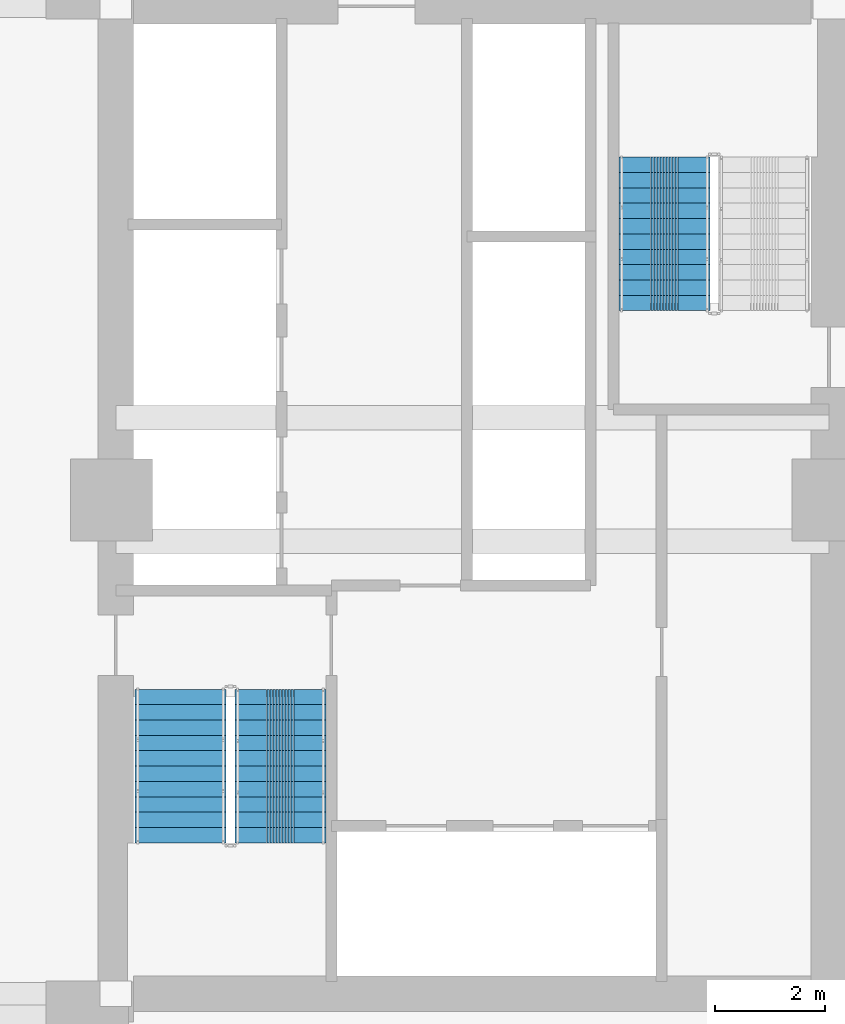
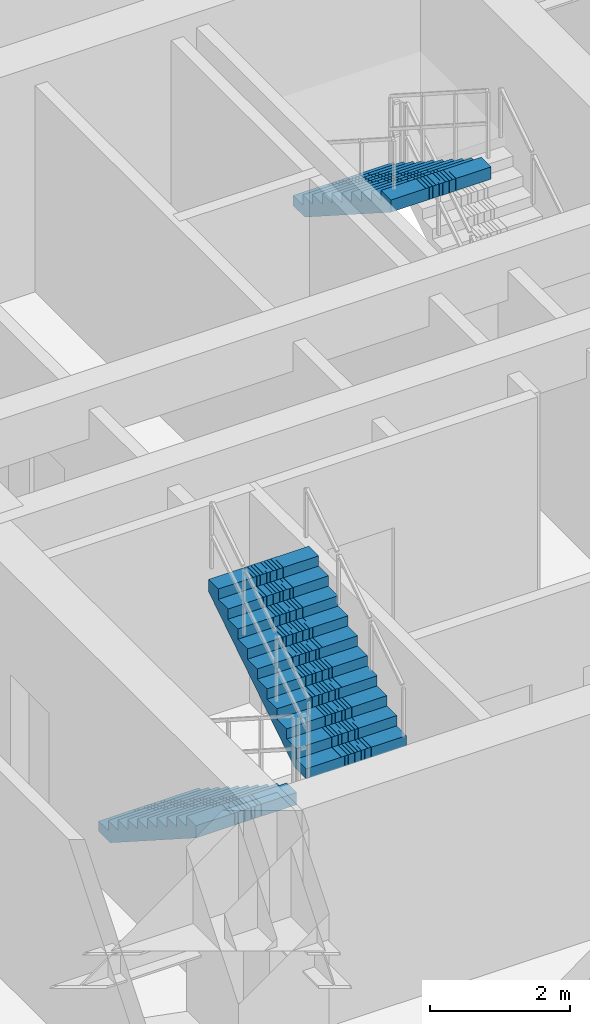
# One storey, part 30 of 35: 3 stair flights, 2 elements without a shape of their own.
"""IFC4 building model written with IfcOpenShell, lengths in metres."""

from ifc_helpers import new_model, si_unit, direction, frame, origin, place, context, subcontext, project, spatial, polyline, outline, extrude, material, type_object, element, aggregate, save


model = new_model("IFC4")

# Units and contexts
model_context = context("Model", 3, precision=1e-05, world=origin(), true_north=direction((0.0, 1.0)))
body_context = subcontext(model_context, "Body", "Model", "MODEL_VIEW")
ifc_project = project(units=[si_unit("LENGTHUNIT", "METRE"), si_unit("AREAUNIT", "SQUARE_METRE"), si_unit("VOLUMEUNIT", "CUBIC_METRE"), si_unit("PLANEANGLEUNIT", "RADIAN"), si_unit("MASSUNIT", "GRAM", prefix="KILO")], contexts=[model_context])

# Site, building, storey
site_placement = place(None, origin())
site = spatial("IfcSite", under=ifc_project, at=site_placement, CompositionType="ELEMENT")
building_placement = place(site_placement, origin())
building = spatial("IfcBuilding", under=site, at=building_placement, Name="Saelheon Loggia Tower", CompositionType="ELEMENT")
storey_placement = place(building_placement, frame((0.0, 0.0, 70.39990234375)))
storey = spatial("IfcBuildingStorey", under=building, at=storey_placement, Name="L22", CompositionType="ELEMENT", Elevation=70.39990234375)

# Stair, stair flights
ifc_material = material(Name="Concrete C40/50", Category="concrete")
stair_type = type_object("IfcStairType", Name="Stair_Escape_Core", PredefinedType="HALF_TURN_STAIR", material=ifc_material)
stair_1_placement = place(storey_placement, origin())
stair_1 = element("IfcStair", 1, at=stair_1_placement, inside=storey, type_object=stair_type, Name="L22 Special Escape Stair ST1", PredefinedType="HALF_TURN_STAIR")
stair_flight_type = type_object("IfcStairFlightType", Name="StairFlight_Tower_1660", PredefinedType="STRAIGHT", material=ifc_material)
stair_flight_1_placement = place(storey_placement, frame((32.679931640625, 23.550048828125, 0.0), z_axis=(0.0, 0.0, 1.0), x_axis=(0.0, -1.0, 0.0)))
stair_flight_1 = element("IfcStairFlight", 2, at=stair_flight_1_placement, type_object=stair_flight_type, Name="ST1 flight 1", NumberOfRisers=11, NumberOfTreads=10, PredefinedType="STRAIGHT", RiserHeight=0.179545455, TreadLength=0.28, context=body_context, shape_type="SweptSolid", body=[
    extrude(outline(polyline([(0.0, 0.0), (0.0, 0.179443359375), (0.280029296875, 0.179443359375), (0.280029296875, 0.359130859375), (0.56005859375, 0.359130859375), (0.56005859375, 0.53857421875), (0.840087890625, 0.53857421875), (0.840087890625, 0.71826171875), (1.1201171875, 0.71826171875), (1.1201171875, 0.897705078125), (1.39990234375, 0.897705078125), (1.39990234375, 1.077392578125), (1.679931640625, 1.077392578125), (1.679931640625, 1.2568359375), (1.9599609375, 1.2568359375), (1.9599609375, 1.436279296875), (2.239990234375, 1.436279296875), (2.239990234375, 1.615966796875), (2.52001953125, 1.615966796875), (2.52001953125, 1.79541015625), (2.800048828125, 1.79541015625), (2.800048828125, 1.97509765625), (2.800048828125, 1.581787109375), (0.333251953125, 0.0), (0.0, 0.0)])), frame((0.0, -0.2490234375, 0.0), z_axis=(0.0, -1.0, 0.0), x_axis=(1.0, 0.0, 0.0)), (0.0, 0.0, 1.0), 0.5810546875),
    extrude(outline(polyline([(0.0, 0.0), (0.0, 0.179443359375), (0.280029296875, 0.179443359375), (0.280029296875, 0.359130859375), (0.56005859375, 0.359130859375), (0.56005859375, 0.53857421875), (0.840087890625, 0.53857421875), (0.840087890625, 0.71826171875), (1.1201171875, 0.71826171875), (1.1201171875, 0.897705078125), (1.39990234375, 0.897705078125), (1.39990234375, 1.077392578125), (1.679931640625, 1.077392578125), (1.679931640625, 1.2568359375), (1.9599609375, 1.2568359375), (1.9599609375, 1.436279296875), (2.239990234375, 1.436279296875), (2.239990234375, 1.615966796875), (2.52001953125, 1.615966796875), (2.52001953125, 1.79541015625), (2.800048828125, 1.79541015625), (2.800048828125, 1.97509765625), (2.800048828125, 1.581787109375), (0.333251953125, 0.0), (0.0, 0.0)])), frame((0.0, -0.194091796875, 0.0), z_axis=(0.0, -1.0, 0.0), x_axis=(1.0, 0.0, 0.0)), (0.0, 0.0, 1.0), 0.0498046875),
    extrude(outline(polyline([(0.0, 0.0), (0.0, 0.179443359375), (0.280029296875, 0.179443359375), (0.280029296875, 0.359130859375), (0.56005859375, 0.359130859375), (0.56005859375, 0.53857421875), (0.840087890625, 0.53857421875), (0.840087890625, 0.71826171875), (1.1201171875, 0.71826171875), (1.1201171875, 0.897705078125), (1.39990234375, 0.897705078125), (1.39990234375, 1.077392578125), (1.679931640625, 1.077392578125), (1.679931640625, 1.2568359375), (1.9599609375, 1.2568359375), (1.9599609375, 1.436279296875), (2.239990234375, 1.436279296875), (2.239990234375, 1.615966796875), (2.52001953125, 1.615966796875), (2.52001953125, 1.79541015625), (2.800048828125, 1.79541015625), (2.800048828125, 1.97509765625), (2.800048828125, 1.581787109375), (0.333251953125, 0.0), (0.0, 0.0)])), frame((0.0, -0.139404296875, 0.0), z_axis=(0.0, -1.0, 0.0), x_axis=(1.0, 0.0, 0.0)), (0.0, 0.0, 1.0), 0.0498046875),
    extrude(outline(polyline([(0.0, 0.0), (0.0, 0.179443359375), (0.280029296875, 0.179443359375), (0.280029296875, 0.359130859375), (0.56005859375, 0.359130859375), (0.56005859375, 0.53857421875), (0.840087890625, 0.53857421875), (0.840087890625, 0.71826171875), (1.1201171875, 0.71826171875), (1.1201171875, 0.897705078125), (1.39990234375, 0.897705078125), (1.39990234375, 1.077392578125), (1.679931640625, 1.077392578125), (1.679931640625, 1.2568359375), (1.9599609375, 1.2568359375), (1.9599609375, 1.436279296875), (2.239990234375, 1.436279296875), (2.239990234375, 1.615966796875), (2.52001953125, 1.615966796875), (2.52001953125, 1.79541015625), (2.800048828125, 1.79541015625), (2.800048828125, 1.97509765625), (2.800048828125, 1.581787109375), (0.333251953125, 0.0), (0.0, 0.0)])), frame((0.0, -0.084716796875, 0.0), z_axis=(0.0, -1.0, 0.0), x_axis=(1.0, 0.0, 0.0)), (0.0, 0.0, 1.0), 0.0498046875),
    extrude(outline(polyline([(0.0, 0.0), (0.0, 0.179443359375), (0.280029296875, 0.179443359375), (0.280029296875, 0.359130859375), (0.56005859375, 0.359130859375), (0.56005859375, 0.53857421875), (0.840087890625, 0.53857421875), (0.840087890625, 0.71826171875), (1.1201171875, 0.71826171875), (1.1201171875, 0.897705078125), (1.39990234375, 0.897705078125), (1.39990234375, 1.077392578125), (1.679931640625, 1.077392578125), (1.679931640625, 1.2568359375), (1.9599609375, 1.2568359375), (1.9599609375, 1.436279296875), (2.239990234375, 1.436279296875), (2.239990234375, 1.615966796875), (2.52001953125, 1.615966796875), (2.52001953125, 1.79541015625), (2.800048828125, 1.79541015625), (2.800048828125, 1.97509765625), (2.800048828125, 1.581787109375), (0.333251953125, 0.0), (0.0, 0.0)])), frame((0.0, -0.02978515625, 0.0), z_axis=(0.0, -1.0, 0.0), x_axis=(1.0, 0.0, 0.0)), (0.0, 0.0, 1.0), 0.0498046875),
    extrude(outline(polyline([(0.0, 0.0), (0.0, 0.179443359375), (0.280029296875, 0.179443359375), (0.280029296875, 0.359130859375), (0.56005859375, 0.359130859375), (0.56005859375, 0.53857421875), (0.840087890625, 0.53857421875), (0.840087890625, 0.71826171875), (1.1201171875, 0.71826171875), (1.1201171875, 0.897705078125), (1.39990234375, 0.897705078125), (1.39990234375, 1.077392578125), (1.679931640625, 1.077392578125), (1.679931640625, 1.2568359375), (1.9599609375, 1.2568359375), (1.9599609375, 1.436279296875), (2.239990234375, 1.436279296875), (2.239990234375, 1.615966796875), (2.52001953125, 1.615966796875), (2.52001953125, 1.79541015625), (2.800048828125, 1.79541015625), (2.800048828125, 1.97509765625), (2.800048828125, 1.581787109375), (0.333251953125, 0.0), (0.0, 0.0)])), frame((0.0, 0.02490234375, 0.0), z_axis=(0.0, -1.0, 0.0), x_axis=(1.0, 0.0, 0.0)), (0.0, 0.0, 1.0), 0.0498046875),
    extrude(outline(polyline([(0.0, 0.0), (0.0, 0.179443359375), (0.280029296875, 0.179443359375), (0.280029296875, 0.359130859375), (0.56005859375, 0.359130859375), (0.56005859375, 0.53857421875), (0.840087890625, 0.53857421875), (0.840087890625, 0.71826171875), (1.1201171875, 0.71826171875), (1.1201171875, 0.897705078125), (1.39990234375, 0.897705078125), (1.39990234375, 1.077392578125), (1.679931640625, 1.077392578125), (1.679931640625, 1.2568359375), (1.9599609375, 1.2568359375), (1.9599609375, 1.436279296875), (2.239990234375, 1.436279296875), (2.239990234375, 1.615966796875), (2.52001953125, 1.615966796875), (2.52001953125, 1.79541015625), (2.800048828125, 1.79541015625), (2.800048828125, 1.97509765625), (2.800048828125, 1.581787109375), (0.333251953125, 0.0), (0.0, 0.0)])), frame((0.0, 0.07958984375, 0.0), z_axis=(0.0, -1.0, 0.0), x_axis=(1.0, 0.0, 0.0)), (0.0, 0.0, 1.0), 0.0498046875),
    extrude(outline(polyline([(0.0, 0.0), (0.0, 0.179443359375), (0.280029296875, 0.179443359375), (0.280029296875, 0.359130859375), (0.56005859375, 0.359130859375), (0.56005859375, 0.53857421875), (0.840087890625, 0.53857421875), (0.840087890625, 0.71826171875), (1.1201171875, 0.71826171875), (1.1201171875, 0.897705078125), (1.39990234375, 0.897705078125), (1.39990234375, 1.077392578125), (1.679931640625, 1.077392578125), (1.679931640625, 1.2568359375), (1.9599609375, 1.2568359375), (1.9599609375, 1.436279296875), (2.239990234375, 1.436279296875), (2.239990234375, 1.615966796875), (2.52001953125, 1.615966796875), (2.52001953125, 1.79541015625), (2.800048828125, 1.79541015625), (2.800048828125, 1.97509765625), (2.800048828125, 1.581787109375), (0.333251953125, 0.0), (0.0, 0.0)])), frame((0.0, 0.134521484375, 0.0), z_axis=(0.0, -1.0, 0.0), x_axis=(1.0, 0.0, 0.0)), (0.0, 0.0, 1.0), 0.0498046875),
    extrude(outline(polyline([(0.0, 0.0), (0.0, 0.179443359375), (0.280029296875, 0.179443359375), (0.280029296875, 0.359130859375), (0.56005859375, 0.359130859375), (0.56005859375, 0.53857421875), (0.840087890625, 0.53857421875), (0.840087890625, 0.71826171875), (1.1201171875, 0.71826171875), (1.1201171875, 0.897705078125), (1.39990234375, 0.897705078125), (1.39990234375, 1.077392578125), (1.679931640625, 1.077392578125), (1.679931640625, 1.2568359375), (1.9599609375, 1.2568359375), (1.9599609375, 1.436279296875), (2.239990234375, 1.436279296875), (2.239990234375, 1.615966796875), (2.52001953125, 1.615966796875), (2.52001953125, 1.79541015625), (2.800048828125, 1.79541015625), (2.800048828125, 1.97509765625), (2.800048828125, 1.581787109375), (0.333251953125, 0.0), (0.0, 0.0)])), frame((0.0, 0.189208984375, 0.0), z_axis=(0.0, -1.0, 0.0), x_axis=(1.0, 0.0, 0.0)), (0.0, 0.0, 1.0), 0.0498046875),
    extrude(outline(polyline([(0.0, 0.0), (0.0, 0.179443359375), (0.280029296875, 0.179443359375), (0.280029296875, 0.359130859375), (0.56005859375, 0.359130859375), (0.56005859375, 0.53857421875), (0.840087890625, 0.53857421875), (0.840087890625, 0.71826171875), (1.1201171875, 0.71826171875), (1.1201171875, 0.897705078125), (1.39990234375, 0.897705078125), (1.39990234375, 1.077392578125), (1.679931640625, 1.077392578125), (1.679931640625, 1.2568359375), (1.9599609375, 1.2568359375), (1.9599609375, 1.436279296875), (2.239990234375, 1.436279296875), (2.239990234375, 1.615966796875), (2.52001953125, 1.615966796875), (2.52001953125, 1.79541015625), (2.800048828125, 1.79541015625), (2.800048828125, 1.97509765625), (2.800048828125, 1.581787109375), (0.333251953125, 0.0), (0.0, 0.0)])), frame((0.0, 0.243896484375, 0.0), z_axis=(0.0, -1.0, 0.0), x_axis=(1.0, 0.0, 0.0)), (0.0, 0.0, 1.0), 0.0498046875),
    extrude(outline(polyline([(0.0, 0.0), (0.0, 0.179443359375), (0.280029296875, 0.179443359375), (0.280029296875, 0.359130859375), (0.56005859375, 0.359130859375), (0.56005859375, 0.53857421875), (0.840087890625, 0.53857421875), (0.840087890625, 0.71826171875), (1.1201171875, 0.71826171875), (1.1201171875, 0.897705078125), (1.39990234375, 0.897705078125), (1.39990234375, 1.077392578125), (1.679931640625, 1.077392578125), (1.679931640625, 1.2568359375), (1.9599609375, 1.2568359375), (1.9599609375, 1.436279296875), (2.239990234375, 1.436279296875), (2.239990234375, 1.615966796875), (2.52001953125, 1.615966796875), (2.52001953125, 1.79541015625), (2.800048828125, 1.79541015625), (2.800048828125, 1.97509765625), (2.800048828125, 1.581787109375), (0.333251953125, 0.0), (0.0, 0.0)])), frame((0.0, 0.830078125, 0.0), z_axis=(0.0, -1.0, 0.0), x_axis=(1.0, 0.0, 0.0)), (0.0, 0.0, 1.0), 0.5810546875),
])
stair_flight_2_placement = place(storey_placement, frame((34.5, 20.75, 1.97509765625), z_axis=(0.0, 0.0, 1.0), x_axis=(0.0, 1.0, 0.0)))
stair_flight_2 = element("IfcStairFlight", 3, at=stair_flight_2_placement, type_object=stair_flight_type, Name="ST1 flight 2", NumberOfRisers=11, NumberOfTreads=10, PredefinedType="STRAIGHT", RiserHeight=0.179545455, TreadLength=0.28, context=body_context, shape_type="SweptSolid", body=[
    extrude(outline(polyline([(0.0, 0.0), (0.0, 0.179443359375), (0.280029296875, 0.179443359375), (0.280029296875, 0.359130859375), (0.56005859375, 0.359130859375), (0.56005859375, 0.53857421875), (0.840087890625, 0.53857421875), (0.840087890625, 0.71826171875), (1.1201171875, 0.71826171875), (1.1201171875, 0.897705078125), (1.39990234375, 0.897705078125), (1.39990234375, 1.077392578125), (1.679931640625, 1.077392578125), (1.679931640625, 1.2568359375), (1.9599609375, 1.2568359375), (1.9599609375, 1.436279296875), (2.239990234375, 1.436279296875), (2.239990234375, 1.615966796875), (2.52001953125, 1.615966796875), (2.52001953125, 1.79541015625), (2.800048828125, 1.79541015625), (2.800048828125, 1.97509765625), (2.800048828125, 1.581787109375), (0.333251953125, 0.0), (0.0, 0.0)])), frame((0.0, -0.2490234375, 0.0), z_axis=(0.0, -1.0, 0.0), x_axis=(1.0, 0.0, 0.0)), (0.0, 0.0, 1.0), 0.5810546875),
    extrude(outline(polyline([(0.0, 0.0), (0.0, 0.179443359375), (0.280029296875, 0.179443359375), (0.280029296875, 0.359130859375), (0.56005859375, 0.359130859375), (0.56005859375, 0.53857421875), (0.840087890625, 0.53857421875), (0.840087890625, 0.71826171875), (1.1201171875, 0.71826171875), (1.1201171875, 0.897705078125), (1.39990234375, 0.897705078125), (1.39990234375, 1.077392578125), (1.679931640625, 1.077392578125), (1.679931640625, 1.2568359375), (1.9599609375, 1.2568359375), (1.9599609375, 1.436279296875), (2.239990234375, 1.436279296875), (2.239990234375, 1.615966796875), (2.52001953125, 1.615966796875), (2.52001953125, 1.79541015625), (2.800048828125, 1.79541015625), (2.800048828125, 1.97509765625), (2.800048828125, 1.581787109375), (0.333251953125, 0.0), (0.0, 0.0)])), frame((0.0, -0.194091796875, 0.0), z_axis=(0.0, -1.0, 0.0), x_axis=(1.0, 0.0, 0.0)), (0.0, 0.0, 1.0), 0.0498046875),
    extrude(outline(polyline([(0.0, 0.0), (0.0, 0.179443359375), (0.280029296875, 0.179443359375), (0.280029296875, 0.359130859375), (0.56005859375, 0.359130859375), (0.56005859375, 0.53857421875), (0.840087890625, 0.53857421875), (0.840087890625, 0.71826171875), (1.1201171875, 0.71826171875), (1.1201171875, 0.897705078125), (1.39990234375, 0.897705078125), (1.39990234375, 1.077392578125), (1.679931640625, 1.077392578125), (1.679931640625, 1.2568359375), (1.9599609375, 1.2568359375), (1.9599609375, 1.436279296875), (2.239990234375, 1.436279296875), (2.239990234375, 1.615966796875), (2.52001953125, 1.615966796875), (2.52001953125, 1.79541015625), (2.800048828125, 1.79541015625), (2.800048828125, 1.97509765625), (2.800048828125, 1.581787109375), (0.333251953125, 0.0), (0.0, 0.0)])), frame((0.0, -0.139404296875, 0.0), z_axis=(0.0, -1.0, 0.0), x_axis=(1.0, 0.0, 0.0)), (0.0, 0.0, 1.0), 0.0498046875),
    extrude(outline(polyline([(0.0, 0.0), (0.0, 0.179443359375), (0.280029296875, 0.179443359375), (0.280029296875, 0.359130859375), (0.56005859375, 0.359130859375), (0.56005859375, 0.53857421875), (0.840087890625, 0.53857421875), (0.840087890625, 0.71826171875), (1.1201171875, 0.71826171875), (1.1201171875, 0.897705078125), (1.39990234375, 0.897705078125), (1.39990234375, 1.077392578125), (1.679931640625, 1.077392578125), (1.679931640625, 1.2568359375), (1.9599609375, 1.2568359375), (1.9599609375, 1.436279296875), (2.239990234375, 1.436279296875), (2.239990234375, 1.615966796875), (2.52001953125, 1.615966796875), (2.52001953125, 1.79541015625), (2.800048828125, 1.79541015625), (2.800048828125, 1.97509765625), (2.800048828125, 1.581787109375), (0.333251953125, 0.0), (0.0, 0.0)])), frame((0.0, -0.084716796875, 0.0), z_axis=(0.0, -1.0, 0.0), x_axis=(1.0, 0.0, 0.0)), (0.0, 0.0, 1.0), 0.0498046875),
    extrude(outline(polyline([(0.0, 0.0), (0.0, 0.179443359375), (0.280029296875, 0.179443359375), (0.280029296875, 0.359130859375), (0.56005859375, 0.359130859375), (0.56005859375, 0.53857421875), (0.840087890625, 0.53857421875), (0.840087890625, 0.71826171875), (1.1201171875, 0.71826171875), (1.1201171875, 0.897705078125), (1.39990234375, 0.897705078125), (1.39990234375, 1.077392578125), (1.679931640625, 1.077392578125), (1.679931640625, 1.2568359375), (1.9599609375, 1.2568359375), (1.9599609375, 1.436279296875), (2.239990234375, 1.436279296875), (2.239990234375, 1.615966796875), (2.52001953125, 1.615966796875), (2.52001953125, 1.79541015625), (2.800048828125, 1.79541015625), (2.800048828125, 1.97509765625), (2.800048828125, 1.581787109375), (0.333251953125, 0.0), (0.0, 0.0)])), frame((0.0, -0.02978515625, 0.0), z_axis=(0.0, -1.0, 0.0), x_axis=(1.0, 0.0, 0.0)), (0.0, 0.0, 1.0), 0.0498046875),
    extrude(outline(polyline([(0.0, 0.0), (0.0, 0.179443359375), (0.280029296875, 0.179443359375), (0.280029296875, 0.359130859375), (0.56005859375, 0.359130859375), (0.56005859375, 0.53857421875), (0.840087890625, 0.53857421875), (0.840087890625, 0.71826171875), (1.1201171875, 0.71826171875), (1.1201171875, 0.897705078125), (1.39990234375, 0.897705078125), (1.39990234375, 1.077392578125), (1.679931640625, 1.077392578125), (1.679931640625, 1.2568359375), (1.9599609375, 1.2568359375), (1.9599609375, 1.436279296875), (2.239990234375, 1.436279296875), (2.239990234375, 1.615966796875), (2.52001953125, 1.615966796875), (2.52001953125, 1.79541015625), (2.800048828125, 1.79541015625), (2.800048828125, 1.97509765625), (2.800048828125, 1.581787109375), (0.333251953125, 0.0), (0.0, 0.0)])), frame((0.0, 0.02490234375, 0.0), z_axis=(0.0, -1.0, 0.0), x_axis=(1.0, 0.0, 0.0)), (0.0, 0.0, 1.0), 0.0498046875),
    extrude(outline(polyline([(0.0, 0.0), (0.0, 0.179443359375), (0.280029296875, 0.179443359375), (0.280029296875, 0.359130859375), (0.56005859375, 0.359130859375), (0.56005859375, 0.53857421875), (0.840087890625, 0.53857421875), (0.840087890625, 0.71826171875), (1.1201171875, 0.71826171875), (1.1201171875, 0.897705078125), (1.39990234375, 0.897705078125), (1.39990234375, 1.077392578125), (1.679931640625, 1.077392578125), (1.679931640625, 1.2568359375), (1.9599609375, 1.2568359375), (1.9599609375, 1.436279296875), (2.239990234375, 1.436279296875), (2.239990234375, 1.615966796875), (2.52001953125, 1.615966796875), (2.52001953125, 1.79541015625), (2.800048828125, 1.79541015625), (2.800048828125, 1.97509765625), (2.800048828125, 1.581787109375), (0.333251953125, 0.0), (0.0, 0.0)])), frame((0.0, 0.07958984375, 0.0), z_axis=(0.0, -1.0, 0.0), x_axis=(1.0, 0.0, 0.0)), (0.0, 0.0, 1.0), 0.0498046875),
    extrude(outline(polyline([(0.0, 0.0), (0.0, 0.179443359375), (0.280029296875, 0.179443359375), (0.280029296875, 0.359130859375), (0.56005859375, 0.359130859375), (0.56005859375, 0.53857421875), (0.840087890625, 0.53857421875), (0.840087890625, 0.71826171875), (1.1201171875, 0.71826171875), (1.1201171875, 0.897705078125), (1.39990234375, 0.897705078125), (1.39990234375, 1.077392578125), (1.679931640625, 1.077392578125), (1.679931640625, 1.2568359375), (1.9599609375, 1.2568359375), (1.9599609375, 1.436279296875), (2.239990234375, 1.436279296875), (2.239990234375, 1.615966796875), (2.52001953125, 1.615966796875), (2.52001953125, 1.79541015625), (2.800048828125, 1.79541015625), (2.800048828125, 1.97509765625), (2.800048828125, 1.581787109375), (0.333251953125, 0.0), (0.0, 0.0)])), frame((0.0, 0.134521484375, 0.0), z_axis=(0.0, -1.0, 0.0), x_axis=(1.0, 0.0, 0.0)), (0.0, 0.0, 1.0), 0.0498046875),
    extrude(outline(polyline([(0.0, 0.0), (0.0, 0.179443359375), (0.280029296875, 0.179443359375), (0.280029296875, 0.359130859375), (0.56005859375, 0.359130859375), (0.56005859375, 0.53857421875), (0.840087890625, 0.53857421875), (0.840087890625, 0.71826171875), (1.1201171875, 0.71826171875), (1.1201171875, 0.897705078125), (1.39990234375, 0.897705078125), (1.39990234375, 1.077392578125), (1.679931640625, 1.077392578125), (1.679931640625, 1.2568359375), (1.9599609375, 1.2568359375), (1.9599609375, 1.436279296875), (2.239990234375, 1.436279296875), (2.239990234375, 1.615966796875), (2.52001953125, 1.615966796875), (2.52001953125, 1.79541015625), (2.800048828125, 1.79541015625), (2.800048828125, 1.97509765625), (2.800048828125, 1.581787109375), (0.333251953125, 0.0), (0.0, 0.0)])), frame((0.0, 0.189208984375, 0.0), z_axis=(0.0, -1.0, 0.0), x_axis=(1.0, 0.0, 0.0)), (0.0, 0.0, 1.0), 0.0498046875),
    extrude(outline(polyline([(0.0, 0.0), (0.0, 0.179443359375), (0.280029296875, 0.179443359375), (0.280029296875, 0.359130859375), (0.56005859375, 0.359130859375), (0.56005859375, 0.53857421875), (0.840087890625, 0.53857421875), (0.840087890625, 0.71826171875), (1.1201171875, 0.71826171875), (1.1201171875, 0.897705078125), (1.39990234375, 0.897705078125), (1.39990234375, 1.077392578125), (1.679931640625, 1.077392578125), (1.679931640625, 1.2568359375), (1.9599609375, 1.2568359375), (1.9599609375, 1.436279296875), (2.239990234375, 1.436279296875), (2.239990234375, 1.615966796875), (2.52001953125, 1.615966796875), (2.52001953125, 1.79541015625), (2.800048828125, 1.79541015625), (2.800048828125, 1.97509765625), (2.800048828125, 1.581787109375), (0.333251953125, 0.0), (0.0, 0.0)])), frame((0.0, 0.243896484375, 0.0), z_axis=(0.0, -1.0, 0.0), x_axis=(1.0, 0.0, 0.0)), (0.0, 0.0, 1.0), 0.0498046875),
    extrude(outline(polyline([(0.0, 0.0), (0.0, 0.179443359375), (0.280029296875, 0.179443359375), (0.280029296875, 0.359130859375), (0.56005859375, 0.359130859375), (0.56005859375, 0.53857421875), (0.840087890625, 0.53857421875), (0.840087890625, 0.71826171875), (1.1201171875, 0.71826171875), (1.1201171875, 0.897705078125), (1.39990234375, 0.897705078125), (1.39990234375, 1.077392578125), (1.679931640625, 1.077392578125), (1.679931640625, 1.2568359375), (1.9599609375, 1.2568359375), (1.9599609375, 1.436279296875), (2.239990234375, 1.436279296875), (2.239990234375, 1.615966796875), (2.52001953125, 1.615966796875), (2.52001953125, 1.79541015625), (2.800048828125, 1.79541015625), (2.800048828125, 1.97509765625), (2.800048828125, 1.581787109375), (0.333251953125, 0.0), (0.0, 0.0)])), frame((0.0, 0.830078125, 0.0), z_axis=(0.0, -1.0, 0.0), x_axis=(1.0, 0.0, 0.0)), (0.0, 0.0, 1.0), 0.5810546875),
])
aggregate(stair_1, [stair_flight_1, stair_flight_2])

# Stair, stair flight
stair_2_placement = place(storey_placement, origin())
stair_2 = element("IfcStair", 4, at=stair_2_placement, inside=storey, type_object=stair_type, Name="L22 Special Escape Stair ST2", PredefinedType="HALF_TURN_STAIR")
stair_flight_3_placement = place(storey_placement, frame((41.5, 33.25, 1.97509765625), z_axis=(0.0, 0.0, 1.0), x_axis=(0.0, -1.0, 0.0)))
stair_flight_3 = element("IfcStairFlight", 5, at=stair_flight_3_placement, type_object=stair_flight_type, Name="ST2 flight 2", NumberOfRisers=11, NumberOfTreads=10, PredefinedType="STRAIGHT", RiserHeight=0.179545455, TreadLength=0.28, context=body_context, shape_type="SweptSolid", body=[
    extrude(outline(polyline([(0.0, 0.0), (0.0, 0.179443359375), (0.280029296875, 0.179443359375), (0.280029296875, 0.359130859375), (0.56005859375, 0.359130859375), (0.56005859375, 0.53857421875), (0.840087890625, 0.53857421875), (0.840087890625, 0.71826171875), (1.1201171875, 0.71826171875), (1.1201171875, 0.897705078125), (1.39990234375, 0.897705078125), (1.39990234375, 1.077392578125), (1.679931640625, 1.077392578125), (1.679931640625, 1.2568359375), (1.9599609375, 1.2568359375), (1.9599609375, 1.436279296875), (2.239990234375, 1.436279296875), (2.239990234375, 1.615966796875), (2.52001953125, 1.615966796875), (2.52001953125, 1.79541015625), (2.800048828125, 1.79541015625), (2.800048828125, 1.97509765625), (2.800048828125, 1.581787109375), (0.333251953125, 0.0), (0.0, 0.0)])), frame((0.0, -0.2490234375, 0.0), z_axis=(0.0, -1.0, 0.0), x_axis=(1.0, 0.0, 0.0)), (0.0, 0.0, 1.0), 0.5810546875),
    extrude(outline(polyline([(0.0, 0.0), (0.0, 0.179443359375), (0.280029296875, 0.179443359375), (0.280029296875, 0.359130859375), (0.56005859375, 0.359130859375), (0.56005859375, 0.53857421875), (0.840087890625, 0.53857421875), (0.840087890625, 0.71826171875), (1.1201171875, 0.71826171875), (1.1201171875, 0.897705078125), (1.39990234375, 0.897705078125), (1.39990234375, 1.077392578125), (1.679931640625, 1.077392578125), (1.679931640625, 1.2568359375), (1.9599609375, 1.2568359375), (1.9599609375, 1.436279296875), (2.239990234375, 1.436279296875), (2.239990234375, 1.615966796875), (2.52001953125, 1.615966796875), (2.52001953125, 1.79541015625), (2.800048828125, 1.79541015625), (2.800048828125, 1.97509765625), (2.800048828125, 1.581787109375), (0.333251953125, 0.0), (0.0, 0.0)])), frame((0.0, -0.194091796875, 0.0), z_axis=(0.0, -1.0, 0.0), x_axis=(1.0, 0.0, 0.0)), (0.0, 0.0, 1.0), 0.0498046875),
    extrude(outline(polyline([(0.0, 0.0), (0.0, 0.179443359375), (0.280029296875, 0.179443359375), (0.280029296875, 0.359130859375), (0.56005859375, 0.359130859375), (0.56005859375, 0.53857421875), (0.840087890625, 0.53857421875), (0.840087890625, 0.71826171875), (1.1201171875, 0.71826171875), (1.1201171875, 0.897705078125), (1.39990234375, 0.897705078125), (1.39990234375, 1.077392578125), (1.679931640625, 1.077392578125), (1.679931640625, 1.2568359375), (1.9599609375, 1.2568359375), (1.9599609375, 1.436279296875), (2.239990234375, 1.436279296875), (2.239990234375, 1.615966796875), (2.52001953125, 1.615966796875), (2.52001953125, 1.79541015625), (2.800048828125, 1.79541015625), (2.800048828125, 1.97509765625), (2.800048828125, 1.581787109375), (0.333251953125, 0.0), (0.0, 0.0)])), frame((0.0, -0.139404296875, 0.0), z_axis=(0.0, -1.0, 0.0), x_axis=(1.0, 0.0, 0.0)), (0.0, 0.0, 1.0), 0.0498046875),
    extrude(outline(polyline([(0.0, 0.0), (0.0, 0.179443359375), (0.280029296875, 0.179443359375), (0.280029296875, 0.359130859375), (0.56005859375, 0.359130859375), (0.56005859375, 0.53857421875), (0.840087890625, 0.53857421875), (0.840087890625, 0.71826171875), (1.1201171875, 0.71826171875), (1.1201171875, 0.897705078125), (1.39990234375, 0.897705078125), (1.39990234375, 1.077392578125), (1.679931640625, 1.077392578125), (1.679931640625, 1.2568359375), (1.9599609375, 1.2568359375), (1.9599609375, 1.436279296875), (2.239990234375, 1.436279296875), (2.239990234375, 1.615966796875), (2.52001953125, 1.615966796875), (2.52001953125, 1.79541015625), (2.800048828125, 1.79541015625), (2.800048828125, 1.97509765625), (2.800048828125, 1.581787109375), (0.333251953125, 0.0), (0.0, 0.0)])), frame((0.0, -0.084716796875, 0.0), z_axis=(0.0, -1.0, 0.0), x_axis=(1.0, 0.0, 0.0)), (0.0, 0.0, 1.0), 0.0498046875),
    extrude(outline(polyline([(0.0, 0.0), (0.0, 0.179443359375), (0.280029296875, 0.179443359375), (0.280029296875, 0.359130859375), (0.56005859375, 0.359130859375), (0.56005859375, 0.53857421875), (0.840087890625, 0.53857421875), (0.840087890625, 0.71826171875), (1.1201171875, 0.71826171875), (1.1201171875, 0.897705078125), (1.39990234375, 0.897705078125), (1.39990234375, 1.077392578125), (1.679931640625, 1.077392578125), (1.679931640625, 1.2568359375), (1.9599609375, 1.2568359375), (1.9599609375, 1.436279296875), (2.239990234375, 1.436279296875), (2.239990234375, 1.615966796875), (2.52001953125, 1.615966796875), (2.52001953125, 1.79541015625), (2.800048828125, 1.79541015625), (2.800048828125, 1.97509765625), (2.800048828125, 1.581787109375), (0.333251953125, 0.0), (0.0, 0.0)])), frame((0.0, -0.02978515625, 0.0), z_axis=(0.0, -1.0, 0.0), x_axis=(1.0, 0.0, 0.0)), (0.0, 0.0, 1.0), 0.0498046875),
    extrude(outline(polyline([(0.0, 0.0), (0.0, 0.179443359375), (0.280029296875, 0.179443359375), (0.280029296875, 0.359130859375), (0.56005859375, 0.359130859375), (0.56005859375, 0.53857421875), (0.840087890625, 0.53857421875), (0.840087890625, 0.71826171875), (1.1201171875, 0.71826171875), (1.1201171875, 0.897705078125), (1.39990234375, 0.897705078125), (1.39990234375, 1.077392578125), (1.679931640625, 1.077392578125), (1.679931640625, 1.2568359375), (1.9599609375, 1.2568359375), (1.9599609375, 1.436279296875), (2.239990234375, 1.436279296875), (2.239990234375, 1.615966796875), (2.52001953125, 1.615966796875), (2.52001953125, 1.79541015625), (2.800048828125, 1.79541015625), (2.800048828125, 1.97509765625), (2.800048828125, 1.581787109375), (0.333251953125, 0.0), (0.0, 0.0)])), frame((0.0, 0.02490234375, 0.0), z_axis=(0.0, -1.0, 0.0), x_axis=(1.0, 0.0, 0.0)), (0.0, 0.0, 1.0), 0.0498046875),
    extrude(outline(polyline([(0.0, 0.0), (0.0, 0.179443359375), (0.280029296875, 0.179443359375), (0.280029296875, 0.359130859375), (0.56005859375, 0.359130859375), (0.56005859375, 0.53857421875), (0.840087890625, 0.53857421875), (0.840087890625, 0.71826171875), (1.1201171875, 0.71826171875), (1.1201171875, 0.897705078125), (1.39990234375, 0.897705078125), (1.39990234375, 1.077392578125), (1.679931640625, 1.077392578125), (1.679931640625, 1.2568359375), (1.9599609375, 1.2568359375), (1.9599609375, 1.436279296875), (2.239990234375, 1.436279296875), (2.239990234375, 1.615966796875), (2.52001953125, 1.615966796875), (2.52001953125, 1.79541015625), (2.800048828125, 1.79541015625), (2.800048828125, 1.97509765625), (2.800048828125, 1.581787109375), (0.333251953125, 0.0), (0.0, 0.0)])), frame((0.0, 0.07958984375, 0.0), z_axis=(0.0, -1.0, 0.0), x_axis=(1.0, 0.0, 0.0)), (0.0, 0.0, 1.0), 0.0498046875),
    extrude(outline(polyline([(0.0, 0.0), (0.0, 0.179443359375), (0.280029296875, 0.179443359375), (0.280029296875, 0.359130859375), (0.56005859375, 0.359130859375), (0.56005859375, 0.53857421875), (0.840087890625, 0.53857421875), (0.840087890625, 0.71826171875), (1.1201171875, 0.71826171875), (1.1201171875, 0.897705078125), (1.39990234375, 0.897705078125), (1.39990234375, 1.077392578125), (1.679931640625, 1.077392578125), (1.679931640625, 1.2568359375), (1.9599609375, 1.2568359375), (1.9599609375, 1.436279296875), (2.239990234375, 1.436279296875), (2.239990234375, 1.615966796875), (2.52001953125, 1.615966796875), (2.52001953125, 1.79541015625), (2.800048828125, 1.79541015625), (2.800048828125, 1.97509765625), (2.800048828125, 1.581787109375), (0.333251953125, 0.0), (0.0, 0.0)])), frame((0.0, 0.134521484375, 0.0), z_axis=(0.0, -1.0, 0.0), x_axis=(1.0, 0.0, 0.0)), (0.0, 0.0, 1.0), 0.0498046875),
    extrude(outline(polyline([(0.0, 0.0), (0.0, 0.179443359375), (0.280029296875, 0.179443359375), (0.280029296875, 0.359130859375), (0.56005859375, 0.359130859375), (0.56005859375, 0.53857421875), (0.840087890625, 0.53857421875), (0.840087890625, 0.71826171875), (1.1201171875, 0.71826171875), (1.1201171875, 0.897705078125), (1.39990234375, 0.897705078125), (1.39990234375, 1.077392578125), (1.679931640625, 1.077392578125), (1.679931640625, 1.2568359375), (1.9599609375, 1.2568359375), (1.9599609375, 1.436279296875), (2.239990234375, 1.436279296875), (2.239990234375, 1.615966796875), (2.52001953125, 1.615966796875), (2.52001953125, 1.79541015625), (2.800048828125, 1.79541015625), (2.800048828125, 1.97509765625), (2.800048828125, 1.581787109375), (0.333251953125, 0.0), (0.0, 0.0)])), frame((0.0, 0.189208984375, 0.0), z_axis=(0.0, -1.0, 0.0), x_axis=(1.0, 0.0, 0.0)), (0.0, 0.0, 1.0), 0.0498046875),
    extrude(outline(polyline([(0.0, 0.0), (0.0, 0.179443359375), (0.280029296875, 0.179443359375), (0.280029296875, 0.359130859375), (0.56005859375, 0.359130859375), (0.56005859375, 0.53857421875), (0.840087890625, 0.53857421875), (0.840087890625, 0.71826171875), (1.1201171875, 0.71826171875), (1.1201171875, 0.897705078125), (1.39990234375, 0.897705078125), (1.39990234375, 1.077392578125), (1.679931640625, 1.077392578125), (1.679931640625, 1.2568359375), (1.9599609375, 1.2568359375), (1.9599609375, 1.436279296875), (2.239990234375, 1.436279296875), (2.239990234375, 1.615966796875), (2.52001953125, 1.615966796875), (2.52001953125, 1.79541015625), (2.800048828125, 1.79541015625), (2.800048828125, 1.97509765625), (2.800048828125, 1.581787109375), (0.333251953125, 0.0), (0.0, 0.0)])), frame((0.0, 0.243896484375, 0.0), z_axis=(0.0, -1.0, 0.0), x_axis=(1.0, 0.0, 0.0)), (0.0, 0.0, 1.0), 0.0498046875),
    extrude(outline(polyline([(0.0, 0.0), (0.0, 0.179443359375), (0.280029296875, 0.179443359375), (0.280029296875, 0.359130859375), (0.56005859375, 0.359130859375), (0.56005859375, 0.53857421875), (0.840087890625, 0.53857421875), (0.840087890625, 0.71826171875), (1.1201171875, 0.71826171875), (1.1201171875, 0.897705078125), (1.39990234375, 0.897705078125), (1.39990234375, 1.077392578125), (1.679931640625, 1.077392578125), (1.679931640625, 1.2568359375), (1.9599609375, 1.2568359375), (1.9599609375, 1.436279296875), (2.239990234375, 1.436279296875), (2.239990234375, 1.615966796875), (2.52001953125, 1.615966796875), (2.52001953125, 1.79541015625), (2.800048828125, 1.79541015625), (2.800048828125, 1.97509765625), (2.800048828125, 1.581787109375), (0.333251953125, 0.0), (0.0, 0.0)])), frame((0.0, 0.830078125, 0.0), z_axis=(0.0, -1.0, 0.0), x_axis=(1.0, 0.0, 0.0)), (0.0, 0.0, 1.0), 0.5810546875),
])
aggregate(stair_2, [stair_flight_3])

save(model, "model.ifc")
